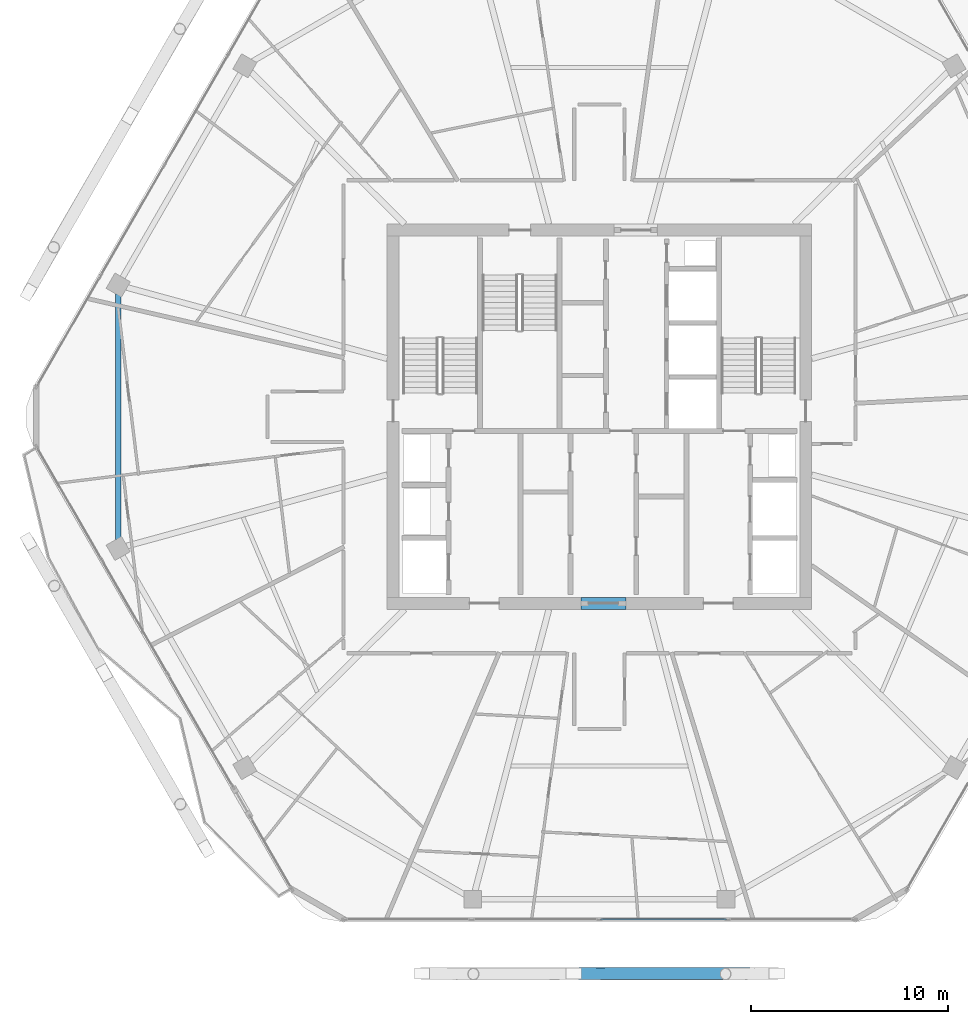
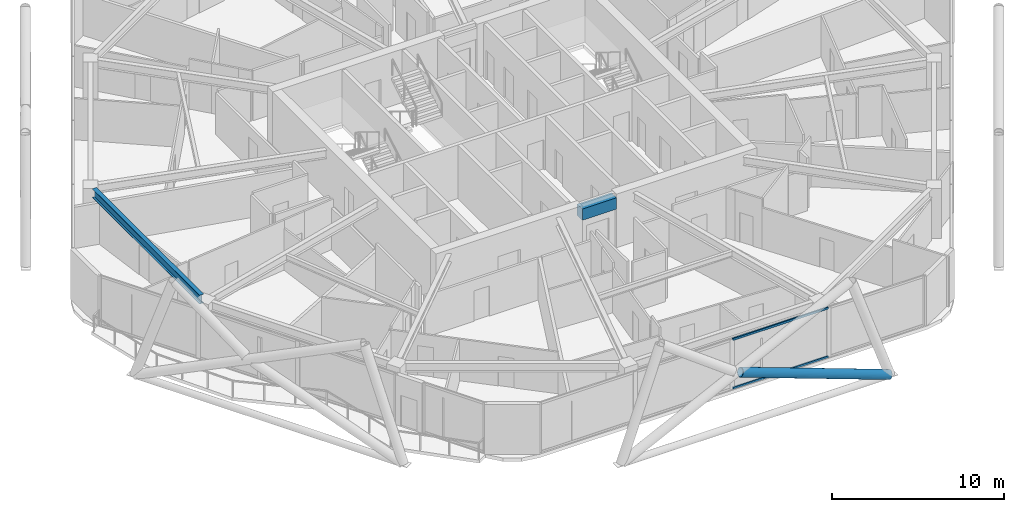
# One storey, part 7 of 27: 3 members, 2 beams, 1 element without a shape of its own.
"""IFC4 building model written with IfcOpenShell, lengths in metres."""

from ifc_helpers import new_model, si_unit, direction, frame, origin, origin_2d, place, context, subcontext, project, spatial, rectangle, hollow_rectangle, hollow_circle, i_section, extrude, material, material_profile, profile_set, type_object, element, aggregate, save


model = new_model("IFC4")

# Units and contexts
model_context = context("Model", 3, precision=1e-05, world=origin(), true_north=direction((0.0, 1.0)))
body_context = subcontext(model_context, "Body", "Model", "MODEL_VIEW")
ifc_project = project(units=[si_unit("LENGTHUNIT", "METRE"), si_unit("AREAUNIT", "SQUARE_METRE"), si_unit("VOLUMEUNIT", "CUBIC_METRE"), si_unit("PLANEANGLEUNIT", "RADIAN"), si_unit("MASSUNIT", "GRAM", prefix="KILO")], contexts=[model_context])

# Site, building, storey
site_placement = place(None, origin())
site = spatial("IfcSite", under=ifc_project, at=site_placement, CompositionType="ELEMENT")
building_placement = place(site_placement, origin())
building = spatial("IfcBuilding", under=site, at=building_placement, Name="Zuhravey Tower", CompositionType="ELEMENT")
storey_placement = place(building_placement, frame((0.0, 0.0, 261.60009765625)))
storey = spatial("IfcBuildingStorey", under=building, at=storey_placement, Name="L66", CompositionType="ELEMENT", Elevation=261.60009765625)

# Beam
ifc_material_1 = material(Name="Concrete C50/60", Category="concrete")
ifc_material_profile_1 = material_profile(ifc_material_1, rectangle(XDim=0.60009765625, YDim=0.800048828125, at=origin_2d()), Name="RC-600x800")
ifc_profile_set_1 = profile_set([ifc_material_profile_1], Name="Concrete C50/60")
beam_type_1 = type_object("IfcBeamType", Name="Core Coupling Beam RC600x800", PredefinedType="LINTEL", material=ifc_profile_set_1)
beam_1_placement = place(storey_placement, frame((35.052001953125, 22.5, 3.14990234375), z_axis=(1.0, 0.0, 0.0), x_axis=(0.0, 1.0, 0.0)))
element("IfcBeam", 1, at=beam_1_placement, inside=storey, type_object=beam_type_1, Name="L66 CB2 BM-L66-CB-S", PredefinedType="LINTEL", context=body_context, shape_type="SweptSolid", body=[
    extrude(rectangle(XDim=0.60009765625, YDim=0.800048828125, at=origin_2d()), origin(), (0.0, 0.0, 1.0), 2.2958984375),
])

# Curtain wall, members
ifc_material_2 = material(Name="Thermally broken anodised aluminium", Category="aluminium")
curtain_wall_type = type_object("IfcCurtainWallType", Name="Zone 3-4 High-Rise Curtain Wall CW4", PredefinedType="NOTDEFINED", material=ifc_material_2)
curtain_wall_placement = place(storey_placement, origin())
curtain_wall = element("IfcCurtainWall", 2, at=curtain_wall_placement, inside=storey, type_object=curtain_wall_type, Name="L66 CW4 CW-L66-F5-1", PredefinedType="NOTDEFINED")
ifc_material_3 = material(Name="Anodised aluminium", Category="aluminium")
ifc_material_profile_2 = material_profile(ifc_material_3, hollow_rectangle(XDim=0.090087890625, YDim=0.14990234375, WallThickness=0.0048828125, at=origin_2d()), Name="ALU-RHS-90x150x5")
ifc_profile_set_2 = profile_set([ifc_material_profile_2], Name="Anodised aluminium")
member_type_1 = type_object("IfcMemberType", Name="Curtain-Wall Transom 90x150", PredefinedType="USERDEFINED", material=ifc_profile_set_2)
member_1_placement = place(storey_placement, frame((42.46142578125, 6.436279296875, 0.044921875), z_axis=(-1.0, 0.0, 0.0), x_axis=(0.0, -1.0, 0.0)))
member_1 = element("IfcMember", 3, at=member_1_placement, type_object=member_type_1, Name="CW4 transom 2.1", ObjectType="TRANSOM", PredefinedType="USERDEFINED", context=body_context, shape_type="SweptSolid", body=[
    extrude(hollow_rectangle(XDim=0.090087890625, YDim=0.14990234375, WallThickness=0.0048828125, at=origin_2d()), origin(), (0.0, 0.0, 1.0), 6.41650390625),
])
member_2_placement = place(storey_placement, frame((42.46142578125, 6.436279296875, 3.5048828125), z_axis=(-1.0, 0.0, 0.0), x_axis=(0.0, -1.0, 0.0)))
member_2 = element("IfcMember", 4, at=member_2_placement, type_object=member_type_1, Name="CW4 transom 2.2", ObjectType="TRANSOM", PredefinedType="USERDEFINED", context=body_context, shape_type="SweptSolid", body=[
    extrude(hollow_rectangle(XDim=0.090087890625, YDim=0.14990234375, WallThickness=0.0048828125, at=origin_2d()), origin(), (0.0, 0.0, 1.0), 6.41650390625),
])
aggregate(curtain_wall, [member_1, member_2])

# Member
ifc_material_4 = material(Name="Steel SM355", Category="steel")
ifc_material_profile_3 = material_profile(ifc_material_4, hollow_circle(Radius=0.3046875, WallThickness=0.028076171875, at=origin_2d()), Name="CHS-609.6x28")
ifc_profile_set_3 = profile_set([ifc_material_profile_3], Name="Steel SM355")
member_type_2 = type_object("IfcMemberType", Name="Exoskeleton Zone 3 Diagrid CHS610x28", PredefinedType="BRACE", material=ifc_profile_set_3)
member_3_placement = place(storey_placement, frame((44.99072265625, 3.67626953125, -0.449951171875), z_axis=(-0.938619066031, -0.00134872199, 0.344952793629), x_axis=(0.001436920095, -0.99999896763, 0.0)))
element("IfcMember", 5, at=member_3_placement, inside=storey, type_object=member_type_2, Name="L66 Face 5 Split Diagrid Brace 3A", PredefinedType="BRACE", context=body_context, shape_type="SweptSolid", body=[
    extrude(hollow_circle(Radius=0.3046875, WallThickness=0.028076171875, at=origin_2d()), origin(), (0.0, 0.0, 1.0), 10.679931640625),
])

# Beam
ifc_material_profile_4 = material_profile(ifc_material_4, i_section(OverallWidth=0.280029296875, OverallDepth=0.6201171875, WebThickness=0.011962890625, FlangeThickness=0.02001953125, at=origin_2d()), Name="H-620x280x12x20")
ifc_profile_set_4 = profile_set([ifc_material_profile_4], Name="Steel SM355")
beam_type_2 = type_object("IfcBeamType", Name="Perimeter Ring Beam H620x280", PredefinedType="BEAM", material=ifc_profile_set_4)
beam_2_placement = place(storey_placement, frame((11.515380859375, 38.245849609375, 3.239990234375), z_axis=(0.0, -1.0, 0.0), x_axis=(1.0, 0.0, 0.0)))
element("IfcBeam", 6, at=beam_2_placement, inside=storey, type_object=beam_type_2, Name="L66 PB3 BM-L66-PB-06", PredefinedType="BEAM", context=body_context, shape_type="SweptSolid", body=[
    extrude(i_section(OverallWidth=0.280029296875, OverallDepth=0.6201171875, WebThickness=0.011962890625, FlangeThickness=0.02001953125, at=origin_2d()), origin(), (0.0, 0.0, 1.0), 12.49169921875),
])

save(model, "model.ifc")
